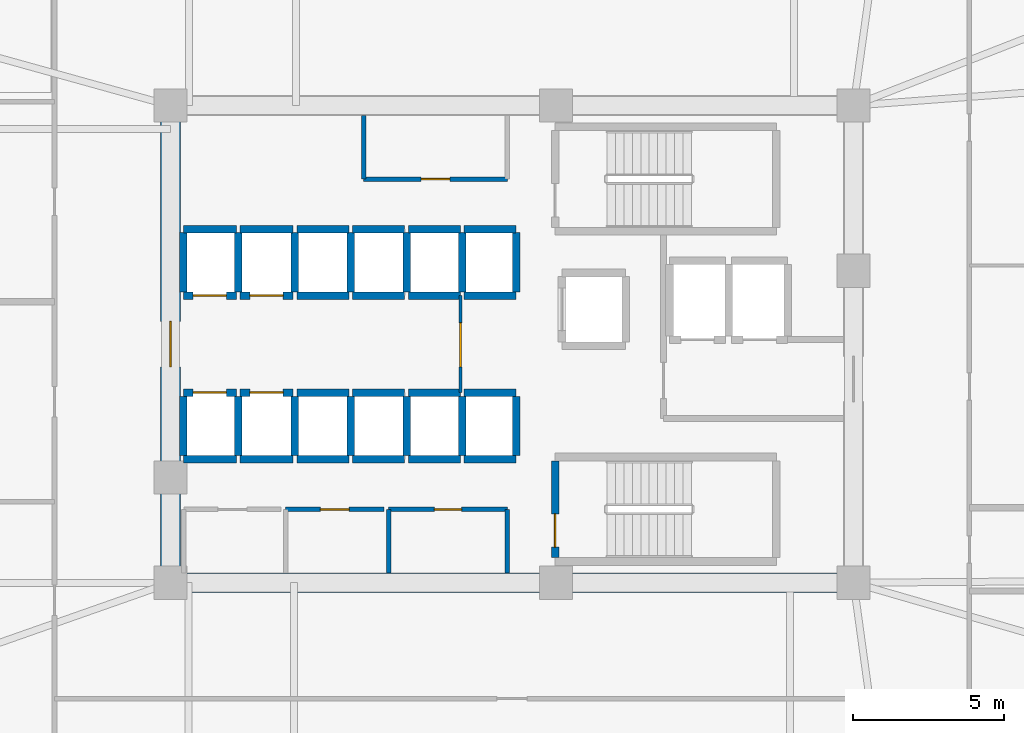
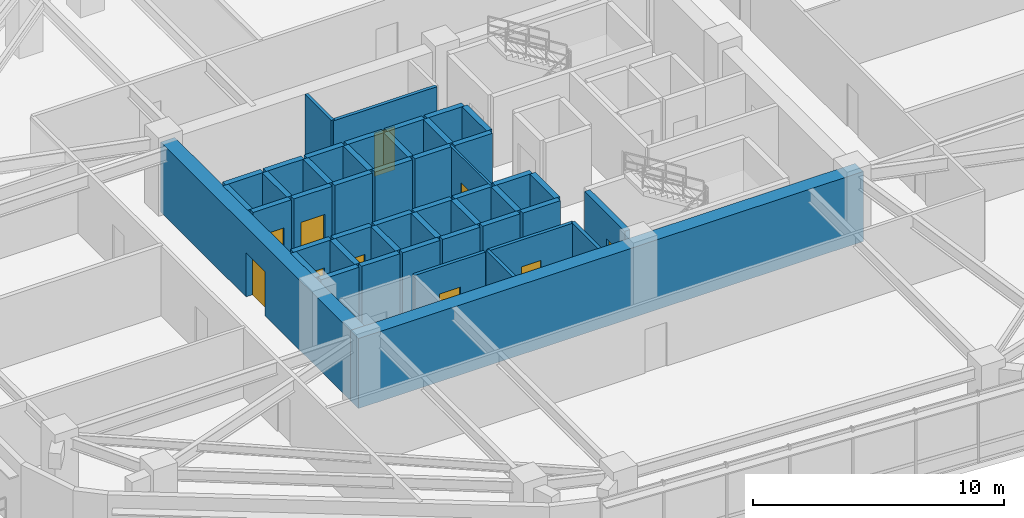
# One storey, part 7 of 12: 48 walls, 10 doors, 10 openings.
"""IFC4 building model written with IfcOpenShell, lengths in metres."""

from ifc_helpers import new_model, si_unit, direction, frame, frame_2d, origin, place, context, subcontext, project, spatial, rectangle, extrude, material, layer, layer_set, type_object, element, fill, save


model = new_model("IFC4")

# Units and contexts
model_context = context("Model", 3, precision=1e-05, world=origin(), true_north=direction((0.0, 1.0)))
body_context = subcontext(model_context, "Body", "Model", "MODEL_VIEW")
ifc_project = project(units=[si_unit("LENGTHUNIT", "METRE"), si_unit("AREAUNIT", "SQUARE_METRE"), si_unit("VOLUMEUNIT", "CUBIC_METRE"), si_unit("PLANEANGLEUNIT", "RADIAN"), si_unit("MASSUNIT", "GRAM", prefix="KILO")], contexts=[model_context])

# Site, building, storey
site_placement = place(None, origin())
site = spatial("IfcSite", under=ifc_project, at=site_placement, CompositionType="ELEMENT")
building_placement = place(site_placement, origin())
building = spatial("IfcBuilding", under=site, at=building_placement, Name="Zulverin Broadcast Headquarters", CompositionType="ELEMENT")
storey_placement = place(building_placement, frame((0.0, 0.0, 116.199951171875)))
storey = spatial("IfcBuildingStorey", under=building, at=storey_placement, Name="L29", CompositionType="ELEMENT", Elevation=116.199951171875)

# Wall
ifc_material_1 = material(Name="Concrete C60/75", Category="concrete")
ifc_layer_1 = layer(ifc_material_1, 0.64990234375, Name="Concrete C60/75", Category="concrete")
ifc_layer_set_1 = layer_set([ifc_layer_1], Name="Concrete C60/75")
wall_type_1 = type_object("IfcWallType", Name="WL-CORE-650", PredefinedType="SHEAR", material=ifc_layer_set_1)
wall_1_placement = place(storey_placement, frame((25.39990234375, 17.324951171875, 0.0), z_axis=(0.0, 0.0, 1.0), x_axis=(1.0, 0.0, 0.0)))
element("IfcWall", 1, at=wall_1_placement, inside=storey, type_object=wall_type_1, Name="L29 Core South Shear Wall", PredefinedType="SHEAR", context=body_context, shape_type="SweptSolid", body=[
    extrude(rectangle(XDim=23.2001953125, YDim=0.64990234375, at=frame_2d((11.60009765625, 0.0))), origin(), (0.0, 0.0, 1.0), 3.400146484375),
])

# Wall, opening, door
wall_2_placement = place(storey_placement, frame((25.72509765625, 17.64990234375, 0.0), z_axis=(0.0, 0.0, 1.0), x_axis=(0.0, 1.0, 0.0)))
wall_2 = element("IfcWall", 2, at=wall_2_placement, inside=storey, type_object=wall_type_1, Name="L29 Core West Shear Wall", PredefinedType="SHEAR", context=body_context, shape_type="SweptSolid", body=[
    extrude(rectangle(XDim=15.10009765625, YDim=0.64990234375, at=frame_2d((7.550048828125, 0.0))), origin(), (0.0, 0.0, 1.0), 3.400146484375),
])
opening_1_placement = place(wall_2_placement, frame((6.800048828125, 0.0, 0.0)))
opening_1 = element("IfcOpeningElement", 3, at=opening_1_placement, cuts=wall_2, Name="Opening D-L29-CW1", PredefinedType="OPENING", context=body_context, shape_type="SweptSolid", body=[
    extrude(rectangle(XDim=1.5, YDim=2.14990234375, at=frame_2d((0.75, 1.074951171875))), frame((0.0, 0.3349609375, 0.0), z_axis=(0.0, -1.0, 0.0), x_axis=(1.0, 0.0, 0.0)), (0.0, 0.0, 1.0), 0.669921875),
])
ifc_material_2 = material(Name="Fire-rated glazed steel frame", Category="steel")
door_type_1 = type_object("IfcDoorType", Name="DR-COR-1500", OperationType="DOUBLE_DOOR_SINGLE_SWING", PredefinedType="DOOR", material=ifc_material_2)
door_1_placement = place(opening_1_placement, origin())
door_1 = element("IfcDoor", 4, at=door_1_placement, inside=storey, type_object=door_type_1, Name="L29 Central Lift Lobby West Portal Door", OperationType="DOUBLE_DOOR_SINGLE_SWING", OverallHeight=2.14990234375, OverallWidth=1.5, PredefinedType="DOOR", context=body_context, shape_type="SweptSolid", body=[
    extrude(rectangle(XDim=1.5, YDim=2.14990234375, at=frame_2d((0.75, 1.074951171875))), frame((0.0, 0.02490234375, 0.0), z_axis=(0.0, -1.0, 0.0), x_axis=(1.0, 0.0, 0.0)), (0.0, 0.0, 1.0), 0.050048828125),
])
fill(opening_1, door_1)

ifc_material_3 = material(Name="Fire-rated acoustic laminated glass screen", Category="glass")
ifc_layer_2 = layer(ifc_material_3, 0.10009765625, Name="Fire-rated acoustic laminated glass screen", Category="glass")
ifc_layer_set_2 = layer_set([ifc_layer_2], Name="Fire-rated acoustic laminated glass screen")
wall_type_2 = type_object("IfcWallType", Name="WL-GLAZ-100", PredefinedType="PARTITIONING", material=ifc_layer_set_2)
wall_3_placement = place(storey_placement, frame((35.300048828125, 23.60009765625, 0.0), z_axis=(0.0, 0.0, 1.0), x_axis=(0.0, 1.0, 0.0)))
wall_3 = element("IfcWall", 5, at=wall_3_placement, inside=storey, type_object=wall_type_2, Name="L29 Central Core Smoke Vestibule Screen", PredefinedType="PARTITIONING", context=body_context, shape_type="SweptSolid", body=[
    extrude(rectangle(XDim=3.199951171875, YDim=0.10009765625, at=frame_2d((1.60009765625, 0.0))), origin(), (0.0, 0.0, 1.0), 3.400146484375),
])
opening_2_placement = place(wall_3_placement, frame((0.85009765625, 0.0, 0.0)))
opening_2 = element("IfcOpeningElement", 6, at=opening_2_placement, cuts=wall_3, Name="Opening D-L29-CL2", PredefinedType="OPENING", context=body_context, shape_type="SweptSolid", body=[
    extrude(rectangle(XDim=1.449951171875, YDim=2.1201171875, at=frame_2d((0.72509765625, 1.06005859375))), frame((0.0, 0.06005859375, 0.0), z_axis=(0.0, -1.0, 0.0), x_axis=(1.0, 0.0, 0.0)), (0.0, 0.0, 1.0), 0.1201171875),
])
ifc_material_4 = material(Name="Fire-rated acoustic glazed double leaf", Category="glass")
door_type_2 = type_object("IfcDoorType", Name="DR-GLZ-1450", OperationType="DOUBLE_DOOR_SINGLE_SWING", PredefinedType="DOOR", material=ifc_material_4)
door_2_placement = place(opening_2_placement, origin())
door_2 = element("IfcDoor", 7, at=door_2_placement, inside=storey, type_object=door_type_2, Name="L29 Central Core Smoke Vestibule Door", OperationType="DOUBLE_DOOR_SINGLE_SWING", OverallHeight=2.1201171875, OverallWidth=1.449951171875, PredefinedType="DOOR", context=body_context, shape_type="SweptSolid", body=[
    extrude(rectangle(XDim=1.449951171875, YDim=2.1201171875, at=frame_2d((0.72509765625, 1.06005859375))), frame((0.0, 0.02490234375, 0.0), z_axis=(0.0, -1.0, 0.0), x_axis=(1.0, 0.0, 0.0)), (0.0, 0.0, 1.0), 0.050048828125),
])
fill(opening_2, door_2)

ifc_material_5 = material(Name="Fire-rated gypsum stud partition", Category="gypsum")
ifc_layer_3 = layer(ifc_material_5, 0.14990234375, Name="Fire-rated gypsum stud partition", Category="gypsum")
ifc_layer_set_3 = layer_set([ifc_layer_3], Name="Fire-rated gypsum stud partition")
wall_type_3 = type_object("IfcWallType", Name="WL-PART-150", PredefinedType="PARTITIONING", material=ifc_layer_set_3)
wall_4_placement = place(storey_placement, frame((32.10009765625, 30.64990234375, 0.0), z_axis=(0.0, 0.0, 1.0), x_axis=(1.0, 0.0, 0.0)))
wall_4 = element("IfcWall", 8, at=wall_4_placement, inside=storey, type_object=wall_type_3, Name="L29 Core Accessible WC & Electrical Riser Front Wall", PredefinedType="PARTITIONING", context=body_context, shape_type="SweptSolid", body=[
    extrude(rectangle(XDim=4.75, YDim=0.14990234375, at=frame_2d((2.375, 0.0))), origin(), (0.0, 0.0, 1.0), 3.400146484375),
])
opening_3_placement = place(wall_4_placement, frame((1.89990234375, 0.0, 0.0)))
opening_3 = element("IfcOpeningElement", 9, at=opening_3_placement, cuts=wall_4, Name="Opening D-L29-NC1", PredefinedType="OPENING", context=body_context, shape_type="SweptSolid", body=[
    extrude(rectangle(XDim=0.949951171875, YDim=2.10009765625, at=frame_2d((0.47509765625, 1.050048828125))), frame((0.0, 0.0849609375, 0.0), z_axis=(0.0, -1.0, 0.0), x_axis=(1.0, 0.0, 0.0)), (0.0, 0.0, 1.0), 0.169921875),
])
ifc_material_6 = material(Name="Fire-rated moisture-resistant laminate leaf", Category="wood")
door_type_3 = type_object("IfcDoorType", Name="DR-WC-950", OperationType="SINGLE_SWING_LEFT", PredefinedType="DOOR", material=ifc_material_6)
door_3_placement = place(opening_3_placement, origin())
door_3 = element("IfcDoor", 10, at=door_3_placement, inside=storey, type_object=door_type_3, Name="L29 Accessible WC & Electrical Riser Door", OperationType="SINGLE_SWING_LEFT", OverallHeight=2.10009765625, OverallWidth=0.949951171875, PredefinedType="DOOR", context=body_context, shape_type="SweptSolid", body=[
    extrude(rectangle(XDim=0.949951171875, YDim=2.10009765625, at=frame_2d((0.47509765625, 1.050048828125))), frame((0.0, 0.02490234375, 0.0), z_axis=(0.0, -1.0, 0.0), x_axis=(1.0, 0.0, 0.0)), (0.0, 0.0, 1.0), 0.050048828125),
])
fill(opening_3, door_3)

# Wall
wall_5_placement = place(storey_placement, frame((32.10009765625, 30.64990234375, 0.0), z_axis=(0.0, 0.0, 1.0), x_axis=(0.0, 1.0, 0.0)))
element("IfcWall", 11, at=wall_5_placement, inside=storey, type_object=wall_type_3, Name="L29 Core Accessible WC & Electrical Riser West Wall", PredefinedType="PARTITIONING", context=body_context, shape_type="SweptSolid", body=[
    extrude(rectangle(XDim=2.10009765625, YDim=0.14990234375, at=frame_2d((1.050048828125, 0.0))), origin(), (0.0, 0.0, 1.0), 3.400146484375),
])

# Wall, opening, door
wall_6_placement = place(storey_placement, frame((29.530029296875, 19.75, 0.0), z_axis=(0.0, 0.0, 1.0), x_axis=(1.0, 0.0, 0.0)))
wall_6 = element("IfcWall", 12, at=wall_6_placement, inside=storey, type_object=wall_type_3, Name="L29 Core Female WC Front Wall", PredefinedType="PARTITIONING", context=body_context, shape_type="SweptSolid", body=[
    extrude(rectangle(XDim=3.239990234375, YDim=0.14990234375, at=frame_2d((1.6201171875, 0.0))), origin(), (0.0, 0.0, 1.0), 3.400146484375),
])
opening_4_placement = place(wall_6_placement, frame((1.14501953125, 0.0, 0.0)))
opening_4 = element("IfcOpeningElement", 13, at=opening_4_placement, cuts=wall_6, Name="Opening D-L29-SC2", PredefinedType="OPENING", context=body_context, shape_type="SweptSolid", body=[
    extrude(rectangle(XDim=0.949951171875, YDim=2.10009765625, at=frame_2d((0.47509765625, 1.050048828125))), frame((0.0, 0.0849609375, 0.0), z_axis=(0.0, -1.0, 0.0), x_axis=(1.0, 0.0, 0.0)), (0.0, 0.0, 1.0), 0.169921875),
])
door_4_placement = place(opening_4_placement, origin())
door_4 = element("IfcDoor", 14, at=door_4_placement, inside=storey, type_object=door_type_3, Name="L29 Female WC Door", OperationType="SINGLE_SWING_LEFT", OverallHeight=2.10009765625, OverallWidth=0.949951171875, PredefinedType="DOOR", context=body_context, shape_type="SweptSolid", body=[
    extrude(rectangle(XDim=0.949951171875, YDim=2.10009765625, at=frame_2d((0.47509765625, 1.050048828125))), frame((0.0, 0.02490234375, 0.0), z_axis=(0.0, -1.0, 0.0), x_axis=(1.0, 0.0, 0.0)), (0.0, 0.0, 1.0), 0.050048828125),
])
fill(opening_4, door_4)

wall_7_placement = place(storey_placement, frame((32.929931640625, 19.75, 0.0), z_axis=(0.0, 0.0, 1.0), x_axis=(1.0, 0.0, 0.0)))
wall_7 = element("IfcWall", 15, at=wall_7_placement, inside=storey, type_object=wall_type_3, Name="L29 Core Cleaner Store Front Wall", PredefinedType="PARTITIONING", context=body_context, shape_type="SweptSolid", body=[
    extrude(rectangle(XDim=3.920166015625, YDim=0.14990234375, at=frame_2d((1.9599609375, 0.0))), origin(), (0.0, 0.0, 1.0), 3.400146484375),
])
opening_5_placement = place(wall_7_placement, frame((1.510009765625, 0.0, 0.0)))
opening_5 = element("IfcOpeningElement", 16, at=opening_5_placement, cuts=wall_7, Name="Opening D-L29-SC3", PredefinedType="OPENING", context=body_context, shape_type="SweptSolid", body=[
    extrude(rectangle(XDim=0.89990234375, YDim=2.10009765625, at=frame_2d((0.449951171875, 1.050048828125))), frame((0.0, 0.0849609375, 0.0), z_axis=(0.0, -1.0, 0.0), x_axis=(1.0, 0.0, 0.0)), (0.0, 0.0, 1.0), 0.169921875),
])
ifc_material_7 = material(Name="Powder-coated steel access leaf", Category="steel")
door_type_4 = type_object("IfcDoorType", Name="DR-RISER-900", OperationType="SINGLE_SWING_LEFT", PredefinedType="DOOR", material=ifc_material_7)
door_5_placement = place(opening_5_placement, origin())
door_5 = element("IfcDoor", 17, at=door_5_placement, inside=storey, type_object=door_type_4, Name="L29 Cleaner Store Door", OperationType="SINGLE_SWING_RIGHT", OverallHeight=2.10009765625, OverallWidth=0.89990234375, PredefinedType="DOOR", context=body_context, shape_type="SweptSolid", body=[
    extrude(rectangle(XDim=0.89990234375, YDim=2.10009765625, at=frame_2d((0.449951171875, 1.050048828125))), frame((0.0, 0.02490234375, 0.0), z_axis=(0.0, -1.0, 0.0), x_axis=(1.0, 0.0, 0.0)), (0.0, 0.0, 1.0), 0.050048828125),
])
fill(opening_5, door_5)

# Walls
for number, where, z_axis, x_axis, name in (
    (18, (32.929931640625, 17.64990234375, 0.0), (0.0, 0.0, 1.0), (0.0, 1.0, 0.0), "L29 Core Cleaner Store West Wall"),
    (19, (36.85009765625, 17.64990234375, 0.0), (0.0, 0.0, 1.0), (0.0, 1.0, 0.0), "L29 Core Cleaner Store East Wall"),
):
    element("IfcWall", number, at=place(storey_placement, frame(where, z_axis=z_axis, x_axis=x_axis)), inside=storey, type_object=wall_type_3, Name=name, PredefinedType="PARTITIONING", context=body_context, shape_type="SweptSolid", body=[
        extrude(rectangle(XDim=2.10009765625, YDim=0.14990234375, at=frame_2d((1.050048828125, 0.0))), origin(), (0.0, 0.0, 1.0), 3.400146484375),
    ])

# Wall, opening, door
ifc_material_8 = material(Name="Concrete C50/60", Category="concrete")
ifc_layer_4 = layer(ifc_material_8, 0.25, Name="Concrete C50/60", Category="concrete")
ifc_layer_set_4 = layer_set([ifc_layer_4], Name="Concrete C50/60")
wall_type_4 = type_object("IfcWallType", Name="WL-SHAFT-250", PredefinedType="SHEAR", material=ifc_layer_set_4)
wall_8_placement = place(storey_placement, frame((38.425048828125, 18.14990234375, 0.0), z_axis=(0.0, 0.0, 1.0), x_axis=(0.0, 1.0, 0.0)))
wall_8 = element("IfcWall", 20, at=wall_8_placement, inside=storey, type_object=wall_type_4, Name="L29 ST-2 Enclosure Wall W", PredefinedType="SHEAR", context=body_context, shape_type="SweptSolid", body=[
    extrude(rectangle(XDim=3.2001953125, YDim=0.25, at=frame_2d((1.60009765625, 0.0))), origin(), (0.0, 0.0, 1.0), 3.400146484375),
])
opening_6_placement = place(wall_8_placement, frame((0.35009765625, 0.0, 0.0)))
opening_6 = element("IfcOpeningElement", 21, at=opening_6_placement, cuts=wall_8, Name="Opening D-L29-ST-2", PredefinedType="OPENING", context=body_context, shape_type="SweptSolid", body=[
    extrude(rectangle(XDim=1.10009765625, YDim=2.14990234375, at=frame_2d((0.550048828125, 1.074951171875))), frame((0.0, 0.135009765625, 0.0), z_axis=(0.0, -1.0, 0.0), x_axis=(1.0, 0.0, 0.0)), (0.0, 0.0, 1.0), 0.27001953125),
])
ifc_material_9 = material(Name="Fire-rated steel leaf and frame", Category="steel")
door_type_5 = type_object("IfcDoorType", Name="DR-STAIR-1100", OperationType="SINGLE_SWING_LEFT", PredefinedType="DOOR", material=ifc_material_9)
door_6_placement = place(opening_6_placement, origin())
door_6 = element("IfcDoor", 22, at=door_6_placement, inside=storey, type_object=door_type_5, Name="L29 Exit Stair ST-2 Fire Door", OperationType="SINGLE_SWING_RIGHT", OverallHeight=2.14990234375, OverallWidth=1.10009765625, PredefinedType="DOOR", context=body_context, shape_type="SweptSolid", body=[
    extrude(rectangle(XDim=1.10009765625, YDim=2.14990234375, at=frame_2d((0.550048828125, 1.074951171875))), frame((0.0, 0.02490234375, 0.0), z_axis=(0.0, -1.0, 0.0), x_axis=(1.0, 0.0, 0.0)), (0.0, 0.0, 1.0), 0.050048828125),
])
fill(opening_6, door_6)

wall_9_placement = place(storey_placement, frame((26.14990234375, 26.800048828125, 0.0), z_axis=(0.0, 0.0, 1.0), x_axis=(1.0, 0.0, 0.0)))
wall_9 = element("IfcWall", 23, at=wall_9_placement, inside=storey, type_object=wall_type_4, Name="L29 Lift PL-L1 Shaft Wall S", PredefinedType="SHEAR", context=body_context, shape_type="SweptSolid", body=[
    extrude(rectangle(XDim=1.75, YDim=0.25, at=frame_2d((0.875, 0.0))), origin(), (0.0, 0.0, 1.0), 3.400146484375),
])
opening_7_placement = place(wall_9_placement, frame((0.324951171875, 0.0, 0.0)))
opening_7 = element("IfcOpeningElement", 24, at=opening_7_placement, cuts=wall_9, Name="Opening LD-PL-L1-L29", PredefinedType="OPENING", context=body_context, shape_type="SweptSolid", body=[
    extrude(rectangle(XDim=1.10009765625, YDim=2.14990234375, at=frame_2d((0.550048828125, 1.074951171875))), frame((0.0, 0.135009765625, 0.0), z_axis=(0.0, -1.0, 0.0), x_axis=(1.0, 0.0, 0.0)), (0.0, 0.0, 1.0), 0.27001953125),
])
ifc_material_10 = material(Name="Brushed stainless steel landing", Category="steel")
door_type_6 = type_object("IfcDoorType", Name="LD-PASS-1100", OperationType="DOUBLE_DOOR_SLIDING", PredefinedType="DOOR", material=ifc_material_10)
door_7_placement = place(opening_7_placement, origin())
door_7 = element("IfcDoor", 25, at=door_7_placement, inside=storey, type_object=door_type_6, Name="L29 Lift PL-L1 Sliding Landing Door", OperationType="DOUBLE_DOOR_SLIDING", OverallHeight=2.14990234375, OverallWidth=1.10009765625, PredefinedType="DOOR", context=body_context, shape_type="SweptSolid", body=[
    extrude(rectangle(XDim=1.10009765625, YDim=2.14990234375, at=frame_2d((0.550048828125, 1.074951171875))), frame((0.0, 0.02490234375, 0.0), z_axis=(0.0, -1.0, 0.0), x_axis=(1.0, 0.0, 0.0)), (0.0, 0.0, 1.0), 0.050048828125),
])
fill(opening_7, door_7)

# Walls
wall_10_placement = place(storey_placement, frame((26.14990234375, 29.0, 0.0), z_axis=(0.0, 0.0, 1.0), x_axis=(1.0, 0.0, 0.0)))
element("IfcWall", 26, at=wall_10_placement, inside=storey, type_object=wall_type_4, Name="L29 Lift PL-L1 Shaft Wall N", PredefinedType="SHEAR", context=body_context, shape_type="SweptSolid", body=[
    extrude(rectangle(XDim=1.75, YDim=0.25, at=frame_2d((0.875, 0.0))), origin(), (0.0, 0.0, 1.0), 3.400146484375),
])
for number, where, z_axis, x_axis, name in (
    (27, (26.14990234375, 26.919921875, 0.0), (0.0, 0.0, 1.0), (0.0, 1.0, 0.0), "L29 Lift PL-L1 Shaft Wall W"),
    (28, (27.9599609375, 26.919921875, 0.0), (0.0, 0.0, 1.0), (0.0, 1.0, 0.0), "L29 Lift PL-L1 Shaft Wall E"),
):
    element("IfcWall", number, at=place(storey_placement, frame(where, z_axis=z_axis, x_axis=x_axis)), inside=storey, type_object=wall_type_4, Name=name, PredefinedType="SHEAR", context=body_context, shape_type="SweptSolid", body=[
        extrude(rectangle(XDim=1.9599609375, YDim=0.25, at=frame_2d((0.97998046875, 0.0))), origin(), (0.0, 0.0, 1.0), 3.400146484375),
    ])

# Wall, opening, door
wall_11_placement = place(storey_placement, frame((28.02001953125, 26.800048828125, 0.0), z_axis=(0.0, 0.0, 1.0), x_axis=(1.0, 0.0, 0.0)))
wall_11 = element("IfcWall", 29, at=wall_11_placement, inside=storey, type_object=wall_type_4, Name="L29 Lift PL-L2 Shaft Wall S", PredefinedType="SHEAR", context=body_context, shape_type="SweptSolid", body=[
    extrude(rectangle(XDim=1.75, YDim=0.25, at=frame_2d((0.875, 0.0))), origin(), (0.0, 0.0, 1.0), 3.400146484375),
])
opening_8_placement = place(wall_11_placement, frame((0.324951171875, 0.0, 0.0)))
opening_8 = element("IfcOpeningElement", 30, at=opening_8_placement, cuts=wall_11, Name="Opening LD-PL-L2-L29", PredefinedType="OPENING", context=body_context, shape_type="SweptSolid", body=[
    extrude(rectangle(XDim=1.10009765625, YDim=2.14990234375, at=frame_2d((0.550048828125, 1.074951171875))), frame((0.0, 0.135009765625, 0.0), z_axis=(0.0, -1.0, 0.0), x_axis=(1.0, 0.0, 0.0)), (0.0, 0.0, 1.0), 0.27001953125),
])
door_8_placement = place(opening_8_placement, origin())
door_8 = element("IfcDoor", 31, at=door_8_placement, inside=storey, type_object=door_type_6, Name="L29 Lift PL-L2 Sliding Landing Door", OperationType="DOUBLE_DOOR_SLIDING", OverallHeight=2.14990234375, OverallWidth=1.10009765625, PredefinedType="DOOR", context=body_context, shape_type="SweptSolid", body=[
    extrude(rectangle(XDim=1.10009765625, YDim=2.14990234375, at=frame_2d((0.550048828125, 1.074951171875))), frame((0.0, 0.02490234375, 0.0), z_axis=(0.0, -1.0, 0.0), x_axis=(1.0, 0.0, 0.0)), (0.0, 0.0, 1.0), 0.050048828125),
])
fill(opening_8, door_8)

# Walls
wall_12_placement = place(storey_placement, frame((28.02001953125, 29.0, 0.0), z_axis=(0.0, 0.0, 1.0), x_axis=(1.0, 0.0, 0.0)))
element("IfcWall", 32, at=wall_12_placement, inside=storey, type_object=wall_type_4, Name="L29 Lift PL-L2 Shaft Wall N", PredefinedType="SHEAR", context=body_context, shape_type="SweptSolid", body=[
    extrude(rectangle(XDim=1.75, YDim=0.25, at=frame_2d((0.875, 0.0))), origin(), (0.0, 0.0, 1.0), 3.400146484375),
])
wall_13_placement = place(storey_placement, frame((29.8349609375, 26.919921875, 0.0), z_axis=(0.0, 0.0, 1.0), x_axis=(0.0, 1.0, 0.0)))
element("IfcWall", 33, at=wall_13_placement, inside=storey, type_object=wall_type_4, Name="L29 Lift PL-L2 Shaft Wall E", PredefinedType="SHEAR", context=body_context, shape_type="SweptSolid", body=[
    extrude(rectangle(XDim=1.9599609375, YDim=0.25, at=frame_2d((0.97998046875, 0.0))), origin(), (0.0, 0.0, 1.0), 3.400146484375),
])
wall_14_placement = place(storey_placement, frame((26.14990234375, 21.39990234375, 0.0), z_axis=(0.0, 0.0, 1.0), x_axis=(1.0, 0.0, 0.0)))
element("IfcWall", 34, at=wall_14_placement, inside=storey, type_object=wall_type_4, Name="L29 Lift PL-L3 Shaft Wall S", PredefinedType="SHEAR", context=body_context, shape_type="SweptSolid", body=[
    extrude(rectangle(XDim=1.75, YDim=0.25, at=frame_2d((0.875, 0.0))), origin(), (0.0, 0.0, 1.0), 3.400146484375),
])

# Wall, opening, door
wall_15_placement = place(storey_placement, frame((26.14990234375, 23.60009765625, 0.0), z_axis=(0.0, 0.0, 1.0), x_axis=(1.0, 0.0, 0.0)))
wall_15 = element("IfcWall", 35, at=wall_15_placement, inside=storey, type_object=wall_type_4, Name="L29 Lift PL-L3 Shaft Wall N", PredefinedType="SHEAR", context=body_context, shape_type="SweptSolid", body=[
    extrude(rectangle(XDim=1.75, YDim=0.25, at=frame_2d((0.875, 0.0))), origin(), (0.0, 0.0, 1.0), 3.400146484375),
])
opening_9_placement = place(wall_15_placement, frame((0.324951171875, 0.0, 0.0)))
opening_9 = element("IfcOpeningElement", 36, at=opening_9_placement, cuts=wall_15, Name="Opening LD-PL-L3-L29", PredefinedType="OPENING", context=body_context, shape_type="SweptSolid", body=[
    extrude(rectangle(XDim=1.10009765625, YDim=2.14990234375, at=frame_2d((0.550048828125, 1.074951171875))), frame((0.0, 0.135009765625, 0.0), z_axis=(0.0, -1.0, 0.0), x_axis=(1.0, 0.0, 0.0)), (0.0, 0.0, 1.0), 0.27001953125),
])
door_9_placement = place(opening_9_placement, origin())
door_9 = element("IfcDoor", 37, at=door_9_placement, inside=storey, type_object=door_type_6, Name="L29 Lift PL-L3 Sliding Landing Door", OperationType="DOUBLE_DOOR_SLIDING", OverallHeight=2.14990234375, OverallWidth=1.10009765625, PredefinedType="DOOR", context=body_context, shape_type="SweptSolid", body=[
    extrude(rectangle(XDim=1.10009765625, YDim=2.14990234375, at=frame_2d((0.550048828125, 1.074951171875))), frame((0.0, 0.02490234375, 0.0), z_axis=(0.0, -1.0, 0.0), x_axis=(1.0, 0.0, 0.0)), (0.0, 0.0, 1.0), 0.050048828125),
])
fill(opening_9, door_9)

# Walls
for number, where, z_axis, x_axis, name in (
    (38, (26.14990234375, 21.52001953125, 0.0), (0.0, 0.0, 1.0), (0.0, 1.0, 0.0), "L29 Lift PL-L3 Shaft Wall W"),
    (39, (27.9599609375, 21.52001953125, 0.0), (0.0, 0.0, 1.0), (0.0, 1.0, 0.0), "L29 Lift PL-L3 Shaft Wall E"),
):
    element("IfcWall", number, at=place(storey_placement, frame(where, z_axis=z_axis, x_axis=x_axis)), inside=storey, type_object=wall_type_4, Name=name, PredefinedType="SHEAR", context=body_context, shape_type="SweptSolid", body=[
        extrude(rectangle(XDim=1.9599609375, YDim=0.25, at=frame_2d((0.97998046875, 0.0))), origin(), (0.0, 0.0, 1.0), 3.400146484375),
    ])
wall_16_placement = place(storey_placement, frame((28.02001953125, 21.39990234375, 0.0), z_axis=(0.0, 0.0, 1.0), x_axis=(1.0, 0.0, 0.0)))
element("IfcWall", 40, at=wall_16_placement, inside=storey, type_object=wall_type_4, Name="L29 Lift PL-L4 Shaft Wall S", PredefinedType="SHEAR", context=body_context, shape_type="SweptSolid", body=[
    extrude(rectangle(XDim=1.75, YDim=0.25, at=frame_2d((0.875, 0.0))), origin(), (0.0, 0.0, 1.0), 3.400146484375),
])

# Wall, opening, door
wall_17_placement = place(storey_placement, frame((28.02001953125, 23.60009765625, 0.0), z_axis=(0.0, 0.0, 1.0), x_axis=(1.0, 0.0, 0.0)))
wall_17 = element("IfcWall", 41, at=wall_17_placement, inside=storey, type_object=wall_type_4, Name="L29 Lift PL-L4 Shaft Wall N", PredefinedType="SHEAR", context=body_context, shape_type="SweptSolid", body=[
    extrude(rectangle(XDim=1.75, YDim=0.25, at=frame_2d((0.875, 0.0))), origin(), (0.0, 0.0, 1.0), 3.400146484375),
])
opening_10_placement = place(wall_17_placement, frame((0.324951171875, 0.0, 0.0)))
opening_10 = element("IfcOpeningElement", 42, at=opening_10_placement, cuts=wall_17, Name="Opening LD-PL-L4-L29", PredefinedType="OPENING", context=body_context, shape_type="SweptSolid", body=[
    extrude(rectangle(XDim=1.10009765625, YDim=2.14990234375, at=frame_2d((0.550048828125, 1.074951171875))), frame((0.0, 0.135009765625, 0.0), z_axis=(0.0, -1.0, 0.0), x_axis=(1.0, 0.0, 0.0)), (0.0, 0.0, 1.0), 0.27001953125),
])
door_10_placement = place(opening_10_placement, origin())
door_10 = element("IfcDoor", 43, at=door_10_placement, inside=storey, type_object=door_type_6, Name="L29 Lift PL-L4 Sliding Landing Door", OperationType="DOUBLE_DOOR_SLIDING", OverallHeight=2.14990234375, OverallWidth=1.10009765625, PredefinedType="DOOR", context=body_context, shape_type="SweptSolid", body=[
    extrude(rectangle(XDim=1.10009765625, YDim=2.14990234375, at=frame_2d((0.550048828125, 1.074951171875))), frame((0.0, 0.02490234375, 0.0), z_axis=(0.0, -1.0, 0.0), x_axis=(1.0, 0.0, 0.0)), (0.0, 0.0, 1.0), 0.050048828125),
])
fill(opening_10, door_10)

# Walls
wall_18_placement = place(storey_placement, frame((29.8349609375, 21.52001953125, 0.0), z_axis=(0.0, 0.0, 1.0), x_axis=(0.0, 1.0, 0.0)))
element("IfcWall", 44, at=wall_18_placement, inside=storey, type_object=wall_type_4, Name="L29 Lift PL-L4 Shaft Wall E", PredefinedType="SHEAR", context=body_context, shape_type="SweptSolid", body=[
    extrude(rectangle(XDim=1.9599609375, YDim=0.25, at=frame_2d((0.97998046875, 0.0))), origin(), (0.0, 0.0, 1.0), 3.400146484375),
])
for number, where, z_axis, x_axis, name in (
    (45, (29.89990234375, 21.39990234375, 0.0), (0.0, 0.0, 1.0), (1.0, 0.0, 0.0), "L29 Lift PL-M1 Shaft Wall S"),
    (46, (29.89990234375, 23.60009765625, 0.0), (0.0, 0.0, 1.0), (1.0, 0.0, 0.0), "L29 Lift PL-M1 Shaft Wall N"),
):
    element("IfcWall", number, at=place(storey_placement, frame(where, z_axis=z_axis, x_axis=x_axis)), inside=storey, type_object=wall_type_4, Name=name, PredefinedType="SHEAR", context=body_context, shape_type="SweptSolid", body=[
        extrude(rectangle(XDim=1.72021484375, YDim=0.25, at=frame_2d((0.860107421875, 0.0))), origin(), (0.0, 0.0, 1.0), 3.400146484375),
    ])
wall_19_placement = place(storey_placement, frame((31.679931640625, 21.52001953125, 0.0), z_axis=(0.0, 0.0, 1.0), x_axis=(0.0, 1.0, 0.0)))
element("IfcWall", 47, at=wall_19_placement, inside=storey, type_object=wall_type_4, Name="L29 Lift PL-M1 Shaft Wall E", PredefinedType="SHEAR", context=body_context, shape_type="SweptSolid", body=[
    extrude(rectangle(XDim=1.9599609375, YDim=0.25, at=frame_2d((0.97998046875, 0.0))), origin(), (0.0, 0.0, 1.0), 3.400146484375),
])
for number, where, z_axis, x_axis, name in (
    (48, (31.739990234375, 21.39990234375, 0.0), (0.0, 0.0, 1.0), (1.0, 0.0, 0.0), "L29 Lift PL-M2 Shaft Wall S"),
    (49, (31.739990234375, 23.60009765625, 0.0), (0.0, 0.0, 1.0), (1.0, 0.0, 0.0), "L29 Lift PL-M2 Shaft Wall N"),
):
    element("IfcWall", number, at=place(storey_placement, frame(where, z_axis=z_axis, x_axis=x_axis)), inside=storey, type_object=wall_type_4, Name=name, PredefinedType="SHEAR", context=body_context, shape_type="SweptSolid", body=[
        extrude(rectangle(XDim=1.719970703125, YDim=0.25, at=frame_2d((0.85986328125, 0.0))), origin(), (0.0, 0.0, 1.0), 3.400146484375),
    ])
wall_20_placement = place(storey_placement, frame((33.52001953125, 21.52001953125, 0.0), z_axis=(0.0, 0.0, 1.0), x_axis=(0.0, 1.0, 0.0)))
element("IfcWall", 50, at=wall_20_placement, inside=storey, type_object=wall_type_4, Name="L29 Lift PL-M2 Shaft Wall E", PredefinedType="SHEAR", context=body_context, shape_type="SweptSolid", body=[
    extrude(rectangle(XDim=1.9599609375, YDim=0.25, at=frame_2d((0.97998046875, 0.0))), origin(), (0.0, 0.0, 1.0), 3.400146484375),
])
for number, where, z_axis, x_axis, name in (
    (51, (33.580078125, 21.39990234375, 0.0), (0.0, 0.0, 1.0), (1.0, 0.0, 0.0), "L29 Lift PL-M3 Shaft Wall S"),
    (52, (33.580078125, 23.60009765625, 0.0), (0.0, 0.0, 1.0), (1.0, 0.0, 0.0), "L29 Lift PL-M3 Shaft Wall N"),
):
    element("IfcWall", number, at=place(storey_placement, frame(where, z_axis=z_axis, x_axis=x_axis)), inside=storey, type_object=wall_type_4, Name=name, PredefinedType="SHEAR", context=body_context, shape_type="SweptSolid", body=[
        extrude(rectangle(XDim=1.719970703125, YDim=0.25, at=frame_2d((0.85986328125, 0.0))), origin(), (0.0, 0.0, 1.0), 3.400146484375),
    ])
wall_21_placement = place(storey_placement, frame((35.360107421875, 21.52001953125, 0.0), z_axis=(0.0, 0.0, 1.0), x_axis=(0.0, 1.0, 0.0)))
element("IfcWall", 53, at=wall_21_placement, inside=storey, type_object=wall_type_4, Name="L29 Lift PL-M3 Shaft Wall E", PredefinedType="SHEAR", context=body_context, shape_type="SweptSolid", body=[
    extrude(rectangle(XDim=1.9599609375, YDim=0.25, at=frame_2d((0.97998046875, 0.0))), origin(), (0.0, 0.0, 1.0), 3.400146484375),
])
for number, where, z_axis, x_axis, name in (
    (54, (35.419921875, 21.39990234375, 0.0), (0.0, 0.0, 1.0), (1.0, 0.0, 0.0), "L29 Lift PL-M4 Shaft Wall S"),
    (55, (35.419921875, 23.60009765625, 0.0), (0.0, 0.0, 1.0), (1.0, 0.0, 0.0), "L29 Lift PL-M4 Shaft Wall N"),
):
    element("IfcWall", number, at=place(storey_placement, frame(where, z_axis=z_axis, x_axis=x_axis)), inside=storey, type_object=wall_type_4, Name=name, PredefinedType="SHEAR", context=body_context, shape_type="SweptSolid", body=[
        extrude(rectangle(XDim=1.719970703125, YDim=0.25, at=frame_2d((0.85986328125, 0.0))), origin(), (0.0, 0.0, 1.0), 3.400146484375),
    ])
wall_22_placement = place(storey_placement, frame((37.139892578125, 21.52001953125, 0.0), z_axis=(0.0, 0.0, 1.0), x_axis=(0.0, 1.0, 0.0)))
element("IfcWall", 56, at=wall_22_placement, inside=storey, type_object=wall_type_4, Name="L29 Lift PL-M4 Shaft Wall E", PredefinedType="SHEAR", context=body_context, shape_type="SweptSolid", body=[
    extrude(rectangle(XDim=1.9599609375, YDim=0.25, at=frame_2d((0.97998046875, 0.0))), origin(), (0.0, 0.0, 1.0), 3.400146484375),
])
for number, where, z_axis, x_axis, name in (
    (57, (29.89990234375, 26.800048828125, 0.0), (0.0, 0.0, 1.0), (1.0, 0.0, 0.0), "L29 Lift PL-H1 Shaft Wall S"),
    (58, (29.89990234375, 29.0, 0.0), (0.0, 0.0, 1.0), (1.0, 0.0, 0.0), "L29 Lift PL-H1 Shaft Wall N"),
):
    element("IfcWall", number, at=place(storey_placement, frame(where, z_axis=z_axis, x_axis=x_axis)), inside=storey, type_object=wall_type_4, Name=name, PredefinedType="SHEAR", context=body_context, shape_type="SweptSolid", body=[
        extrude(rectangle(XDim=1.72021484375, YDim=0.25, at=frame_2d((0.860107421875, 0.0))), origin(), (0.0, 0.0, 1.0), 3.400146484375),
    ])
wall_23_placement = place(storey_placement, frame((31.679931640625, 26.919921875, 0.0), z_axis=(0.0, 0.0, 1.0), x_axis=(0.0, 1.0, 0.0)))
element("IfcWall", 59, at=wall_23_placement, inside=storey, type_object=wall_type_4, Name="L29 Lift PL-H1 Shaft Wall E", PredefinedType="SHEAR", context=body_context, shape_type="SweptSolid", body=[
    extrude(rectangle(XDim=1.9599609375, YDim=0.25, at=frame_2d((0.97998046875, 0.0))), origin(), (0.0, 0.0, 1.0), 3.400146484375),
])
for number, where, z_axis, x_axis, name in (
    (60, (31.739990234375, 26.800048828125, 0.0), (0.0, 0.0, 1.0), (1.0, 0.0, 0.0), "L29 Lift PL-H2 Shaft Wall S"),
    (61, (31.739990234375, 29.0, 0.0), (0.0, 0.0, 1.0), (1.0, 0.0, 0.0), "L29 Lift PL-H2 Shaft Wall N"),
):
    element("IfcWall", number, at=place(storey_placement, frame(where, z_axis=z_axis, x_axis=x_axis)), inside=storey, type_object=wall_type_4, Name=name, PredefinedType="SHEAR", context=body_context, shape_type="SweptSolid", body=[
        extrude(rectangle(XDim=1.719970703125, YDim=0.25, at=frame_2d((0.85986328125, 0.0))), origin(), (0.0, 0.0, 1.0), 3.400146484375),
    ])
wall_24_placement = place(storey_placement, frame((33.52001953125, 26.919921875, 0.0), z_axis=(0.0, 0.0, 1.0), x_axis=(0.0, 1.0, 0.0)))
element("IfcWall", 62, at=wall_24_placement, inside=storey, type_object=wall_type_4, Name="L29 Lift PL-H2 Shaft Wall E", PredefinedType="SHEAR", context=body_context, shape_type="SweptSolid", body=[
    extrude(rectangle(XDim=1.9599609375, YDim=0.25, at=frame_2d((0.97998046875, 0.0))), origin(), (0.0, 0.0, 1.0), 3.400146484375),
])
for number, where, z_axis, x_axis, name in (
    (63, (33.580078125, 26.800048828125, 0.0), (0.0, 0.0, 1.0), (1.0, 0.0, 0.0), "L29 Lift PL-H3 Shaft Wall S"),
    (64, (33.580078125, 29.0, 0.0), (0.0, 0.0, 1.0), (1.0, 0.0, 0.0), "L29 Lift PL-H3 Shaft Wall N"),
):
    element("IfcWall", number, at=place(storey_placement, frame(where, z_axis=z_axis, x_axis=x_axis)), inside=storey, type_object=wall_type_4, Name=name, PredefinedType="SHEAR", context=body_context, shape_type="SweptSolid", body=[
        extrude(rectangle(XDim=1.719970703125, YDim=0.25, at=frame_2d((0.85986328125, 0.0))), origin(), (0.0, 0.0, 1.0), 3.400146484375),
    ])
wall_25_placement = place(storey_placement, frame((35.360107421875, 26.919921875, 0.0), z_axis=(0.0, 0.0, 1.0), x_axis=(0.0, 1.0, 0.0)))
element("IfcWall", 65, at=wall_25_placement, inside=storey, type_object=wall_type_4, Name="L29 Lift PL-H3 Shaft Wall E", PredefinedType="SHEAR", context=body_context, shape_type="SweptSolid", body=[
    extrude(rectangle(XDim=1.9599609375, YDim=0.25, at=frame_2d((0.97998046875, 0.0))), origin(), (0.0, 0.0, 1.0), 3.400146484375),
])
for number, where, z_axis, x_axis, name in (
    (66, (35.419921875, 26.800048828125, 0.0), (0.0, 0.0, 1.0), (1.0, 0.0, 0.0), "L29 Lift PL-H4 Shaft Wall S"),
    (67, (35.419921875, 29.0, 0.0), (0.0, 0.0, 1.0), (1.0, 0.0, 0.0), "L29 Lift PL-H4 Shaft Wall N"),
):
    element("IfcWall", number, at=place(storey_placement, frame(where, z_axis=z_axis, x_axis=x_axis)), inside=storey, type_object=wall_type_4, Name=name, PredefinedType="SHEAR", context=body_context, shape_type="SweptSolid", body=[
        extrude(rectangle(XDim=1.719970703125, YDim=0.25, at=frame_2d((0.85986328125, 0.0))), origin(), (0.0, 0.0, 1.0), 3.400146484375),
    ])
wall_26_placement = place(storey_placement, frame((37.139892578125, 26.919921875, 0.0), z_axis=(0.0, 0.0, 1.0), x_axis=(0.0, 1.0, 0.0)))
element("IfcWall", 68, at=wall_26_placement, inside=storey, type_object=wall_type_4, Name="L29 Lift PL-H4 Shaft Wall E", PredefinedType="SHEAR", context=body_context, shape_type="SweptSolid", body=[
    extrude(rectangle(XDim=1.9599609375, YDim=0.25, at=frame_2d((0.97998046875, 0.0))), origin(), (0.0, 0.0, 1.0), 3.400146484375),
])

save(model, "model.ifc")
